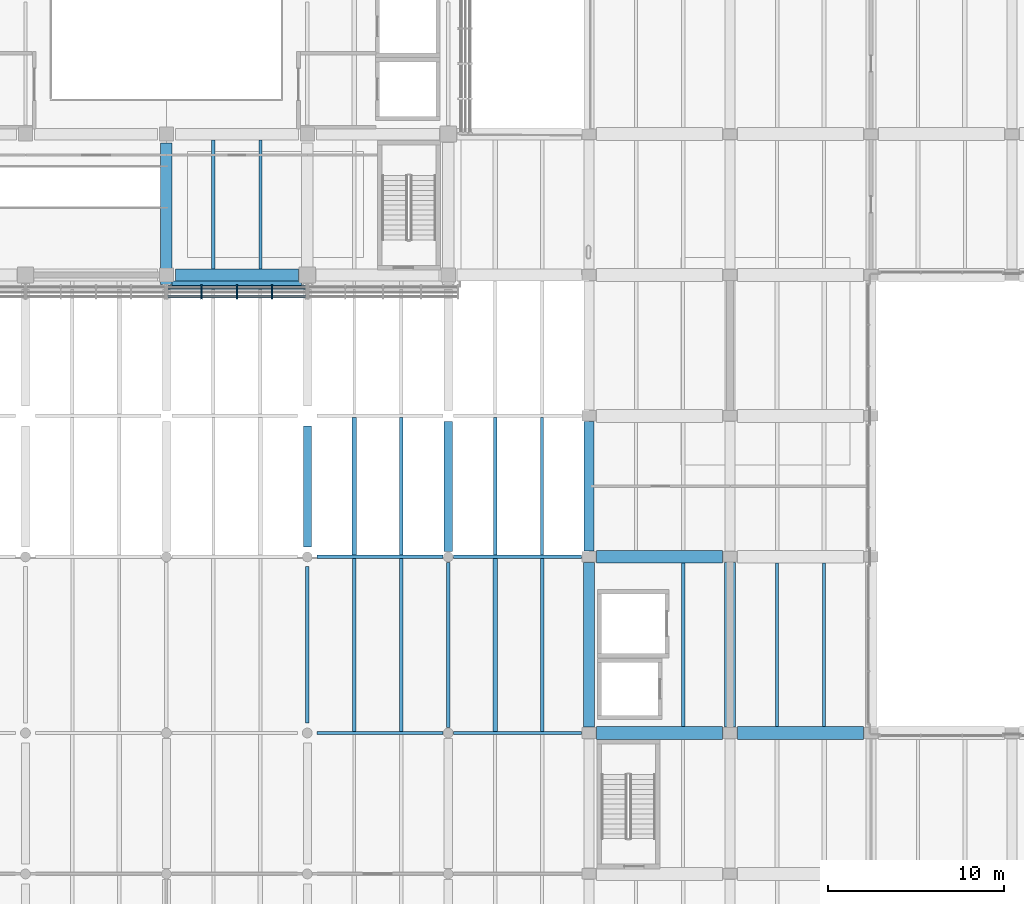
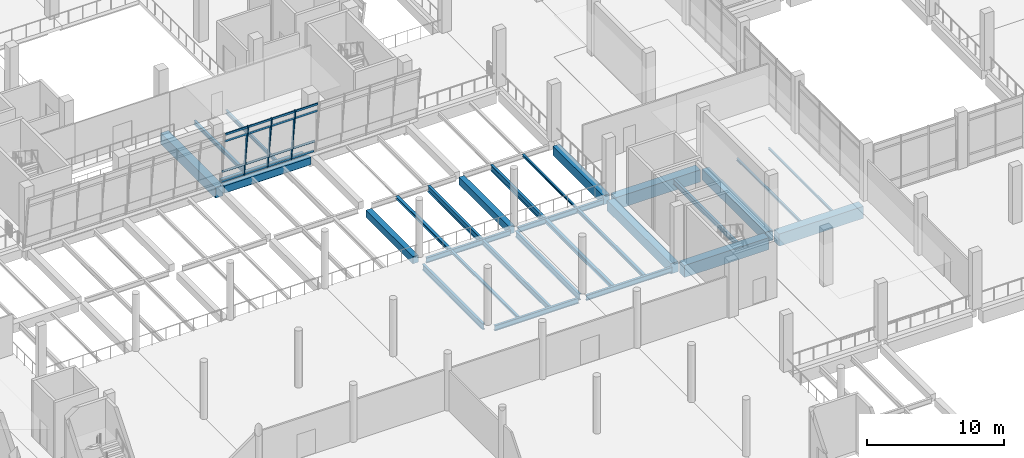
# One storey, part 14 of 61: 30 beams, 19 members, 1 element without a shape of its own.
"""IFC4 building model written with IfcOpenShell, lengths in metres."""

from ifc_helpers import new_model, si_unit, direction, frame, origin, origin_2d, place, context, subcontext, project, spatial, rectangle, i_section, extrude, material, material_profile, profile_set, type_object, element, aggregate, save


model = new_model("IFC4")

# Units and contexts
model_context = context("Model", 3, precision=1e-05, world=origin(), true_north=direction((0.0, 1.0)))
body_context = subcontext(model_context, "Body", "Model", "MODEL_VIEW")
ifc_project = project(units=[si_unit("LENGTHUNIT", "METRE"), si_unit("AREAUNIT", "SQUARE_METRE"), si_unit("VOLUMEUNIT", "CUBIC_METRE"), si_unit("PLANEANGLEUNIT", "RADIAN"), si_unit("MASSUNIT", "GRAM", prefix="KILO")], contexts=[model_context])

# Site, building, storey
site_placement = place(None, origin())
site = spatial("IfcSite", under=ifc_project, at=site_placement, CompositionType="ELEMENT")
building_placement = place(site_placement, origin())
building = spatial("IfcBuilding", under=site, at=building_placement, Name="Pecanmere Concourse Central Library", CompositionType="ELEMENT")
storey_placement = place(building_placement, frame((0.0, 0.0, 5.39990234375)))
storey = spatial("IfcBuildingStorey", under=building, at=storey_placement, Name="L02", CompositionType="ELEMENT", Elevation=5.39990234375)

# Curtain wall, members
ifc_material_1 = material(Name="Anodized bronze aluminium alloy 6063-T6", Category="aluminium")
curtain_wall_type = type_object("IfcCurtainWallType", Name="CW_LEAN_BANDED", PredefinedType="USERDEFINED", material=ifc_material_1)
curtain_wall_placement = place(storey_placement, origin())
curtain_wall = element("IfcCurtainWall", 1, at=curtain_wall_placement, inside=storey, type_object=curtain_wall_type, Name="Unitised Curtain Wall CW-01 L02-014", ObjectType="UNITISED CURTAIN WALL", PredefinedType="USERDEFINED")
ifc_material_2 = material(Name="Anodized bronze aluminium alloy 6063-T6", Category="aluminium")
ifc_material_profile_1 = material_profile(ifc_material_2, rectangle(XDim=0.074951171875, YDim=0.199951171875, at=origin_2d()), Name="AL 75x200")
ifc_profile_set_1 = profile_set([ifc_material_profile_1], Name="Anodized bronze aluminium alloy 6063-T6")
member_type_1 = type_object("IfcMemberType", Name="CWM_200x75", PredefinedType="MULLION", material=ifc_profile_set_1)
member_1_placement = place(storey_placement, frame((90.00244140625, 89.359619140625, 0.0), z_axis=(0.0, -0.132283601957, 0.991211909055), x_axis=(1.0, 0.0, 0.0)))
member_1 = element("IfcMember", 2, at=member_1_placement, type_object=member_type_1, Name="CW-01 Mullion 2", PredefinedType="MULLION", context=body_context, shape_type="SweptSolid", body=[
    extrude(rectangle(XDim=0.074951171875, YDim=0.199951171875, at=origin_2d()), origin(), (0.0, 0.0, 1.0), 4.80224609375),
])
member_2_placement = place(storey_placement, frame((92.0, 89.359619140625, 0.0), z_axis=(0.0, -0.132283601957, 0.991211909055), x_axis=(1.0, 0.0, 0.0)))
member_2 = element("IfcMember", 3, at=member_2_placement, type_object=member_type_1, Name="CW-01 Mullion 3", PredefinedType="MULLION", context=body_context, shape_type="SweptSolid", body=[
    extrude(rectangle(XDim=0.074951171875, YDim=0.199951171875, at=origin_2d()), origin(), (0.0, 0.0, 1.0), 4.80224609375),
])
member_3_placement = place(storey_placement, frame((93.99755859375, 89.359619140625, 0.0), z_axis=(0.0, -0.132283601957, 0.991211909055), x_axis=(1.0, 0.0, 0.0)))
member_3 = element("IfcMember", 4, at=member_3_placement, type_object=member_type_1, Name="CW-01 Mullion 4", PredefinedType="MULLION", context=body_context, shape_type="SweptSolid", body=[
    extrude(rectangle(XDim=0.074951171875, YDim=0.199951171875, at=origin_2d()), origin(), (0.0, 0.0, 1.0), 4.80224609375),
])
ifc_material_3 = material(Name="Anodized bronze aluminium alloy 6063-T6", Category="aluminium")
ifc_material_profile_2 = material_profile(ifc_material_3, rectangle(XDim=0.06494140625, YDim=0.179931640625, at=origin_2d()), Name="AL 65x180")
ifc_profile_set_2 = profile_set([ifc_material_profile_2], Name="Anodized bronze aluminium alloy 6063-T6")
member_type_2 = type_object("IfcMemberType", Name="CWT_180x65", PredefinedType="USERDEFINED", material=ifc_profile_set_2)
member_4_placement = place(storey_placement, frame((88.080078125, 89.347412109375, 0.090087890625), z_axis=(1.0, 0.0, 0.0), x_axis=(0.0, 1.0, 0.0)))
member_4 = element("IfcMember", 5, at=member_4_placement, type_object=member_type_2, Name="CW-01 Transom 1.1", ObjectType="TRANSOM", PredefinedType="USERDEFINED", context=body_context, shape_type="SweptSolid", body=[
    extrude(rectangle(XDim=0.06494140625, YDim=0.179931640625, at=origin_2d()), origin(), (0.0, 0.0, 1.0), 1.885009765625),
])
member_5_placement = place(storey_placement, frame((88.080078125, 89.219482421875, 1.050048828125), z_axis=(1.0, 0.0, 0.0), x_axis=(0.0, 1.0, 0.0)))
member_5 = element("IfcMember", 6, at=member_5_placement, type_object=member_type_2, Name="CW-01 Transom 1.2", ObjectType="TRANSOM", PredefinedType="USERDEFINED", context=body_context, shape_type="SweptSolid", body=[
    extrude(rectangle(XDim=0.06494140625, YDim=0.179931640625, at=origin_2d()), origin(), (0.0, 0.0, 1.0), 1.885009765625),
])
member_6_placement = place(storey_placement, frame((88.080078125, 88.824462890625, 4.010009765625), z_axis=(1.0, 0.0, 0.0), x_axis=(0.0, 1.0, 0.0)))
member_6 = element("IfcMember", 7, at=member_6_placement, type_object=member_type_2, Name="CW-01 Transom 1.3", ObjectType="TRANSOM", PredefinedType="USERDEFINED", context=body_context, shape_type="SweptSolid", body=[
    extrude(rectangle(XDim=0.06494140625, YDim=0.179931640625, at=origin_2d()), origin(), (0.0, 0.0, 1.0), 1.885009765625),
])
member_7_placement = place(storey_placement, frame((88.080078125, 88.736328125, 4.670166015625), z_axis=(1.0, 0.0, 0.0), x_axis=(0.0, 1.0, 0.0)))
member_7 = element("IfcMember", 8, at=member_7_placement, type_object=member_type_2, Name="CW-01 Transom 1.4", ObjectType="TRANSOM", PredefinedType="USERDEFINED", context=body_context, shape_type="SweptSolid", body=[
    extrude(rectangle(XDim=0.06494140625, YDim=0.179931640625, at=origin_2d()), origin(), (0.0, 0.0, 1.0), 1.885009765625),
])
member_8_placement = place(storey_placement, frame((90.0400390625, 89.347412109375, 0.090087890625), z_axis=(1.0, 0.0, 0.0), x_axis=(0.0, 1.0, 0.0)))
member_8 = element("IfcMember", 9, at=member_8_placement, type_object=member_type_2, Name="CW-01 Transom 2.1", ObjectType="TRANSOM", PredefinedType="USERDEFINED", context=body_context, shape_type="SweptSolid", body=[
    extrude(rectangle(XDim=0.06494140625, YDim=0.179931640625, at=origin_2d()), origin(), (0.0, 0.0, 1.0), 1.92236328125),
])
member_9_placement = place(storey_placement, frame((90.0400390625, 89.219482421875, 1.050048828125), z_axis=(1.0, 0.0, 0.0), x_axis=(0.0, 1.0, 0.0)))
member_9 = element("IfcMember", 10, at=member_9_placement, type_object=member_type_2, Name="CW-01 Transom 2.2", ObjectType="TRANSOM", PredefinedType="USERDEFINED", context=body_context, shape_type="SweptSolid", body=[
    extrude(rectangle(XDim=0.06494140625, YDim=0.179931640625, at=origin_2d()), origin(), (0.0, 0.0, 1.0), 1.92236328125),
])
member_10_placement = place(storey_placement, frame((90.0400390625, 88.824462890625, 4.010009765625), z_axis=(1.0, 0.0, 0.0), x_axis=(0.0, 1.0, 0.0)))
member_10 = element("IfcMember", 11, at=member_10_placement, type_object=member_type_2, Name="CW-01 Transom 2.3", ObjectType="TRANSOM", PredefinedType="USERDEFINED", context=body_context, shape_type="SweptSolid", body=[
    extrude(rectangle(XDim=0.06494140625, YDim=0.179931640625, at=origin_2d()), origin(), (0.0, 0.0, 1.0), 1.92236328125),
])
member_11_placement = place(storey_placement, frame((90.0400390625, 88.736328125, 4.670166015625), z_axis=(1.0, 0.0, 0.0), x_axis=(0.0, 1.0, 0.0)))
member_11 = element("IfcMember", 12, at=member_11_placement, type_object=member_type_2, Name="CW-01 Transom 2.4", ObjectType="TRANSOM", PredefinedType="USERDEFINED", context=body_context, shape_type="SweptSolid", body=[
    extrude(rectangle(XDim=0.06494140625, YDim=0.179931640625, at=origin_2d()), origin(), (0.0, 0.0, 1.0), 1.92236328125),
])
member_12_placement = place(storey_placement, frame((92.03759765625, 89.347412109375, 0.090087890625), z_axis=(1.0, 0.0, 0.0), x_axis=(0.0, 1.0, 0.0)))
member_12 = element("IfcMember", 13, at=member_12_placement, type_object=member_type_2, Name="CW-01 Transom 3.1", ObjectType="TRANSOM", PredefinedType="USERDEFINED", context=body_context, shape_type="SweptSolid", body=[
    extrude(rectangle(XDim=0.06494140625, YDim=0.179931640625, at=origin_2d()), origin(), (0.0, 0.0, 1.0), 1.92236328125),
])
member_13_placement = place(storey_placement, frame((92.03759765625, 89.219482421875, 1.050048828125), z_axis=(1.0, 0.0, 0.0), x_axis=(0.0, 1.0, 0.0)))
member_13 = element("IfcMember", 14, at=member_13_placement, type_object=member_type_2, Name="CW-01 Transom 3.2", ObjectType="TRANSOM", PredefinedType="USERDEFINED", context=body_context, shape_type="SweptSolid", body=[
    extrude(rectangle(XDim=0.06494140625, YDim=0.179931640625, at=origin_2d()), origin(), (0.0, 0.0, 1.0), 1.92236328125),
])
member_14_placement = place(storey_placement, frame((92.03759765625, 88.824462890625, 4.010009765625), z_axis=(1.0, 0.0, 0.0), x_axis=(0.0, 1.0, 0.0)))
member_14 = element("IfcMember", 15, at=member_14_placement, type_object=member_type_2, Name="CW-01 Transom 3.3", ObjectType="TRANSOM", PredefinedType="USERDEFINED", context=body_context, shape_type="SweptSolid", body=[
    extrude(rectangle(XDim=0.06494140625, YDim=0.179931640625, at=origin_2d()), origin(), (0.0, 0.0, 1.0), 1.92236328125),
])
member_15_placement = place(storey_placement, frame((92.03759765625, 88.736328125, 4.670166015625), z_axis=(1.0, 0.0, 0.0), x_axis=(0.0, 1.0, 0.0)))
member_15 = element("IfcMember", 16, at=member_15_placement, type_object=member_type_2, Name="CW-01 Transom 3.4", ObjectType="TRANSOM", PredefinedType="USERDEFINED", context=body_context, shape_type="SweptSolid", body=[
    extrude(rectangle(XDim=0.06494140625, YDim=0.179931640625, at=origin_2d()), origin(), (0.0, 0.0, 1.0), 1.92236328125),
])
member_16_placement = place(storey_placement, frame((94.034912109375, 89.347412109375, 0.090087890625), z_axis=(1.0, 0.0, 0.0), x_axis=(0.0, 1.0, 0.0)))
member_16 = element("IfcMember", 17, at=member_16_placement, type_object=member_type_2, Name="CW-01 Transom 4.1", ObjectType="TRANSOM", PredefinedType="USERDEFINED", context=body_context, shape_type="SweptSolid", body=[
    extrude(rectangle(XDim=0.06494140625, YDim=0.179931640625, at=origin_2d()), origin(), (0.0, 0.0, 1.0), 1.885009765625),
])
member_17_placement = place(storey_placement, frame((94.034912109375, 89.219482421875, 1.050048828125), z_axis=(1.0, 0.0, 0.0), x_axis=(0.0, 1.0, 0.0)))
member_17 = element("IfcMember", 18, at=member_17_placement, type_object=member_type_2, Name="CW-01 Transom 4.2", ObjectType="TRANSOM", PredefinedType="USERDEFINED", context=body_context, shape_type="SweptSolid", body=[
    extrude(rectangle(XDim=0.06494140625, YDim=0.179931640625, at=origin_2d()), origin(), (0.0, 0.0, 1.0), 1.885009765625),
])
member_18_placement = place(storey_placement, frame((94.034912109375, 88.824462890625, 4.010009765625), z_axis=(1.0, 0.0, 0.0), x_axis=(0.0, 1.0, 0.0)))
member_18 = element("IfcMember", 19, at=member_18_placement, type_object=member_type_2, Name="CW-01 Transom 4.3", ObjectType="TRANSOM", PredefinedType="USERDEFINED", context=body_context, shape_type="SweptSolid", body=[
    extrude(rectangle(XDim=0.06494140625, YDim=0.179931640625, at=origin_2d()), origin(), (0.0, 0.0, 1.0), 1.885009765625),
])
member_19_placement = place(storey_placement, frame((94.034912109375, 88.736328125, 4.670166015625), z_axis=(1.0, 0.0, 0.0), x_axis=(0.0, 1.0, 0.0)))
member_19 = element("IfcMember", 20, at=member_19_placement, type_object=member_type_2, Name="CW-01 Transom 4.4", ObjectType="TRANSOM", PredefinedType="USERDEFINED", context=body_context, shape_type="SweptSolid", body=[
    extrude(rectangle(XDim=0.06494140625, YDim=0.179931640625, at=origin_2d()), origin(), (0.0, 0.0, 1.0), 1.885009765625),
])
aggregate(curtain_wall, [member_1, member_2, member_3, member_4, member_5, member_6, member_7, member_8, member_9, member_10, member_11, member_12, member_13, member_14, member_15, member_16, member_17, member_18, member_19])

# Beams
ifc_material_4 = material(Name="Concrete C40/50", Category="concrete")
ifc_material_profile_3 = material_profile(ifc_material_4, rectangle(XDim=0.4599609375, YDim=0.64990234375, at=origin_2d()), Name="RC 460x650")
ifc_profile_set_3 = profile_set([ifc_material_profile_3], Name="Concrete C40/50")
beam_type_1 = type_object("IfcBeamType", Name="GRD_460x650", PredefinedType="USERDEFINED", material=ifc_profile_set_3)
beam_1_placement = place(storey_placement, frame((96.0, 74.56005859375, -0.69482421875), z_axis=(0.0, 1.0, 0.0), x_axis=(-1.0, 0.0, 0.0)))
element("IfcBeam", 21, at=beam_1_placement, inside=storey, type_object=beam_type_1, Name="Primary Girder Y L02-1068", ObjectType="GIRDER", PredefinedType="USERDEFINED", context=body_context, shape_type="SweptSolid", body=[
    extrude(rectangle(XDim=0.4599609375, YDim=0.64990234375, at=origin_2d()), origin(), (0.0, 0.0, 1.0), 6.8798828125),
])
beam_2_placement = place(storey_placement, frame((104.0, 74.31005859375, -0.69482421875), z_axis=(0.0, 1.0, 0.0), x_axis=(-1.0, 0.0, 0.0)))
element("IfcBeam", 22, at=beam_2_placement, inside=storey, type_object=beam_type_1, Name="Primary Girder Y L02-1080", ObjectType="GIRDER", PredefinedType="USERDEFINED", context=body_context, shape_type="SweptSolid", body=[
    extrude(rectangle(XDim=0.4599609375, YDim=0.64990234375, at=origin_2d()), origin(), (0.0, 0.0, 1.0), 7.3798828125),
])
ifc_material_5 = material(Name="Concrete C40/50", Category="concrete")
ifc_material_profile_4 = material_profile(ifc_material_5, rectangle(XDim=0.56005859375, YDim=0.830078125, at=origin_2d()), Name="RC 560x830")
ifc_profile_set_4 = profile_set([ifc_material_profile_4], Name="Concrete C40/50")
beam_type_2 = type_object("IfcBeamType", Name="GRD_560x830", PredefinedType="USERDEFINED", material=ifc_profile_set_4)
beam_3_placement = place(storey_placement, frame((112.0, 74.330078125, -0.784912109375), z_axis=(0.0, 1.0, 0.0), x_axis=(-1.0, 0.0, 0.0)))
element("IfcBeam", 23, at=beam_3_placement, inside=storey, type_object=beam_type_2, Name="Primary Girder Y L02-1092", ObjectType="GIRDER", PredefinedType="USERDEFINED", context=body_context, shape_type="SweptSolid", body=[
    extrude(rectangle(XDim=0.56005859375, YDim=0.830078125, at=origin_2d()), origin(), (0.0, 0.0, 1.0), 7.33984375),
])
ifc_material_6 = material(Name="Concrete C40/50", Category="concrete")
ifc_material_profile_5 = material_profile(ifc_material_6, rectangle(XDim=0.6201171875, YDim=0.919921875, at=origin_2d()), Name="RC 620x920")
ifc_profile_set_5 = profile_set([ifc_material_profile_5], Name="Concrete C40/50")
beam_type_3 = type_object("IfcBeamType", Name="GRD_620x920", PredefinedType="USERDEFINED", material=ifc_profile_set_5)
for number, where, z_axis, x_axis, name in (
    (24, (112.0, 64.330078125, -0.829833984375), (0.0, 1.0, 0.0), (-1.0, 0.0, 0.0), "Primary Girder Y L02-1091"),
    (25, (120.0, 64.330078125, -0.829833984375), (0.0, 1.0, 0.0), (-1.0, 0.0, 0.0), "Primary Girder Y L02-1101"),
):
    element("IfcBeam", number, at=place(storey_placement, frame(where, z_axis=z_axis, x_axis=x_axis)), inside=storey, type_object=beam_type_3, Name=name, ObjectType="GIRDER", PredefinedType="USERDEFINED", context=body_context, shape_type="SweptSolid", body=[
        extrude(rectangle(XDim=0.6201171875, YDim=0.919921875, at=origin_2d()), origin(), (0.0, 0.0, 1.0), 9.33984375),
    ])
ifc_material_7 = material(Name="Concrete C40/50", Category="concrete")
ifc_material_profile_6 = material_profile(ifc_material_7, rectangle(XDim=0.659912109375, YDim=0.97998046875, at=origin_2d()), Name="RC 660x980")
ifc_profile_set_6 = profile_set([ifc_material_profile_6], Name="Concrete C40/50")
beam_type_4 = type_object("IfcBeamType", Name="GRD_660x980", PredefinedType="USERDEFINED", material=ifc_profile_set_6)
beam_4_placement = place(storey_placement, frame((88.510009765625, 90.0, -0.85986328125), z_axis=(1.0, 0.0, 0.0), x_axis=(0.0, 1.0, 0.0)))
element("IfcBeam", 26, at=beam_4_placement, inside=storey, type_object=beam_type_4, Name="Primary Girder X L02-0917", ObjectType="GIRDER", PredefinedType="USERDEFINED", context=body_context, shape_type="SweptSolid", body=[
    extrude(rectangle(XDim=0.659912109375, YDim=0.97998046875, at=origin_2d()), origin(), (0.0, 0.0, 1.0), 7.0),
])
beam_5_placement = place(storey_placement, frame((88.0, 89.469482421875, -0.85986328125), z_axis=(0.0, 1.0, 0.0), x_axis=(-1.0, 0.0, 0.0)))
element("IfcBeam", 27, at=beam_5_placement, inside=storey, type_object=beam_type_4, Name="Primary Girder Y L02-1060", ObjectType="GIRDER", PredefinedType="USERDEFINED", context=body_context, shape_type="SweptSolid", body=[
    extrude(rectangle(XDim=0.659912109375, YDim=0.97998046875, at=origin_2d()), origin(), (0.0, 0.0, 1.0), 8.0205078125),
])
ifc_material_8 = material(Name="Concrete C40/50", Category="concrete")
ifc_material_profile_7 = material_profile(ifc_material_8, rectangle(XDim=0.719970703125, YDim=1.080078125, at=origin_2d()), Name="RC 720x1080")
ifc_profile_set_7 = profile_set([ifc_material_profile_7], Name="Concrete C40/50")
beam_type_5 = type_object("IfcBeamType", Name="GRD_720x1080", PredefinedType="USERDEFINED", material=ifc_profile_set_7)
for number, where, z_axis, x_axis, name in (
    (28, (112.429931640625, 64.0, -0.909912109375), (1.0, 0.0, 0.0), (0.0, 1.0, 0.0), "Primary Girder X L02-0880"),
    (29, (120.429931640625, 64.0, -0.909912109375), (1.0, 0.0, 0.0), (0.0, 1.0, 0.0), "Primary Girder X L02-0881"),
    (30, (112.429931640625, 74.0, -0.909912109375), (1.0, 0.0, 0.0), (0.0, 1.0, 0.0), "Primary Girder X L02-0894"),
):
    element("IfcBeam", number, at=place(storey_placement, frame(where, z_axis=z_axis, x_axis=x_axis)), inside=storey, type_object=beam_type_5, Name=name, ObjectType="GIRDER", PredefinedType="USERDEFINED", context=body_context, shape_type="SweptSolid", body=[
        extrude(rectangle(XDim=0.719970703125, YDim=1.080078125, at=origin_2d()), origin(), (0.0, 0.0, 1.0), 7.14013671875),
    ])
ifc_material_9 = material(Name="Structural steel ASTM A992 Grade 50", Category="steel")
ifc_material_profile_8 = material_profile(ifc_material_9, i_section(OverallWidth=0.152099609375, OverallDepth=0.152099609375, WebThickness=0.005859375, FlangeThickness=0.006591796875, at=origin_2d()), Name="W150x22.5")
ifc_profile_set_8 = profile_set([ifc_material_profile_8], Name="Structural steel ASTM A992 Grade 50")
beam_type_6 = type_object("IfcBeamType", Name="SBM_W150x22", PredefinedType="LINTEL", material=ifc_profile_set_8)
beam_6_placement = place(storey_placement, frame((125.333251953125, 64.360107421875, -0.44580078125), z_axis=(0.0, 1.0, 0.0), x_axis=(-1.0, 0.0, 0.0)))
element("IfcBeam", 31, at=beam_6_placement, inside=storey, type_object=beam_type_6, Name="Secondary Floor Joist L02-1386", PredefinedType="LINTEL", context=body_context, shape_type="SweptSolid", body=[
    extrude(i_section(OverallWidth=0.152099609375, OverallDepth=0.152099609375, WebThickness=0.005859375, FlangeThickness=0.006591796875, at=origin_2d()), origin(), (0.0, 0.0, 1.0), 9.27978515625),
])
ifc_material_10 = material(Name="Structural steel ASTM A992 Grade 50", Category="steel")
ifc_material_profile_9 = material_profile(ifc_material_10, i_section(OverallWidth=0.1650390625, OverallDepth=0.200927734375, WebThickness=0.006103515625, FlangeThickness=0.01025390625, at=origin_2d()), Name="W200x35.9")
ifc_profile_set_9 = profile_set([ifc_material_profile_9], Name="Structural steel ASTM A992 Grade 50")
beam_type_7 = type_object("IfcBeamType", Name="SBM_W200x36", PredefinedType="LINTEL", material=ifc_profile_set_9)
beam_7_placement = place(storey_placement, frame((109.333251953125, 74.096923828125, -0.470458984375), z_axis=(0.0, 1.0, 0.0), x_axis=(-1.0, 0.0, 0.0)))
element("IfcBeam", 32, at=beam_7_placement, inside=storey, type_object=beam_type_7, Name="Secondary Floor Joist L02-1358", PredefinedType="LINTEL", context=body_context, shape_type="SweptSolid", body=[
    extrude(i_section(OverallWidth=0.1650390625, OverallDepth=0.200927734375, WebThickness=0.006103515625, FlangeThickness=0.01025390625, at=origin_2d()), origin(), (0.0, 0.0, 1.0), 7.80615234375),
])
beam_8_placement = place(storey_placement, frame((122.666748046875, 64.360107421875, -0.470458984375), z_axis=(0.0, 1.0, 0.0), x_axis=(-1.0, 0.0, 0.0)))
element("IfcBeam", 33, at=beam_8_placement, inside=storey, type_object=beam_type_7, Name="Secondary Floor Joist L02-1385", PredefinedType="LINTEL", context=body_context, shape_type="SweptSolid", body=[
    extrude(i_section(OverallWidth=0.1650390625, OverallDepth=0.200927734375, WebThickness=0.006103515625, FlangeThickness=0.01025390625, at=origin_2d()), origin(), (0.0, 0.0, 1.0), 9.27978515625),
])
ifc_material_11 = material(Name="Structural steel ASTM A992 Grade 50", Category="steel")
ifc_material_profile_10 = material_profile(ifc_material_11, i_section(OverallWidth=0.2041015625, OverallDepth=0.2060546875, WebThickness=0.0078125, FlangeThickness=0.0126953125, at=origin_2d()), Name="W200x52")
ifc_profile_set_10 = profile_set([ifc_material_profile_10], Name="Structural steel ASTM A992 Grade 50")
beam_type_8 = type_object("IfcBeamType", Name="SBM_W200x52", PredefinedType="JOIST", material=ifc_profile_set_10)
beam_9_placement = place(storey_placement, frame((98.666748046875, 64.096923828125, -0.472900390625), z_axis=(0.0, 1.0, 0.0), x_axis=(-1.0, 0.0, 0.0)))
element("IfcBeam", 34, at=beam_9_placement, inside=storey, type_object=beam_type_8, Name="Secondary Floor Joist L02-1335", PredefinedType="JOIST", context=body_context, shape_type="SweptSolid", body=[
    extrude(i_section(OverallWidth=0.2041015625, OverallDepth=0.2060546875, WebThickness=0.0078125, FlangeThickness=0.0126953125, at=origin_2d()), origin(), (0.0, 0.0, 1.0), 9.80615234375),
])
ifc_material_12 = material(Name="Structural steel ASTM A992 Grade 50", Category="steel")
ifc_material_profile_11 = material_profile(ifc_material_12, i_section(OverallWidth=0.25390625, OverallDepth=0.2529296875, WebThickness=0.008544921875, FlangeThickness=0.01416015625, at=origin_2d()), Name="W250x73")
ifc_profile_set_11 = profile_set([ifc_material_profile_11], Name="Structural steel ASTM A992 Grade 50")
beam_type_9 = type_object("IfcBeamType", Name="SBM_W250x73", PredefinedType="BEAM", material=ifc_profile_set_11)
beam_10_placement = place(storey_placement, frame((98.666748046875, 74.096923828125, -0.496337890625), z_axis=(0.0, 1.0, 0.0), x_axis=(-1.0, 0.0, 0.0)))
element("IfcBeam", 35, at=beam_10_placement, inside=storey, type_object=beam_type_9, Name="Secondary Floor Joist L02-1337", PredefinedType="BEAM", context=body_context, shape_type="SweptSolid", body=[
    extrude(i_section(OverallWidth=0.25390625, OverallDepth=0.2529296875, WebThickness=0.008544921875, FlangeThickness=0.01416015625, at=origin_2d()), origin(), (0.0, 0.0, 1.0), 7.80615234375),
])
ifc_material_13 = material(Name="Structural steel ASTM A992 Grade 50", Category="steel")
ifc_material_profile_12 = material_profile(ifc_material_13, i_section(OverallWidth=0.1669921875, OverallDepth=0.31689453125, WebThickness=0.007568359375, FlangeThickness=0.01318359375, at=origin_2d()), Name="W310x52")
ifc_profile_set_12 = profile_set([ifc_material_profile_12], Name="Structural steel ASTM A992 Grade 50")
beam_type_10 = type_object("IfcBeamType", Name="SBM_W310x52", PredefinedType="JOIST", material=ifc_profile_set_12)
beam_11_placement = place(storey_placement, frame((93.333251953125, 90.330078125, -0.5283203125), z_axis=(0.0, 1.0, 0.0), x_axis=(-1.0, 0.0, 0.0)))
element("IfcBeam", 36, at=beam_11_placement, inside=storey, type_object=beam_type_10, Name="Secondary Floor Joist L02-1322", PredefinedType="JOIST", context=body_context, shape_type="SweptSolid", body=[
    extrude(i_section(OverallWidth=0.1669921875, OverallDepth=0.31689453125, WebThickness=0.007568359375, FlangeThickness=0.01318359375, at=origin_2d()), origin(), (0.0, 0.0, 1.0), 7.33984375),
])
ifc_material_14 = material(Name="Structural steel ASTM A992 Grade 50", Category="steel")
ifc_material_profile_13 = material_profile(ifc_material_14, i_section(OverallWidth=0.205078125, OverallDepth=0.31005859375, WebThickness=0.009521484375, FlangeThickness=0.016357421875, at=origin_2d()), Name="W310x74")
ifc_profile_set_13 = profile_set([ifc_material_profile_13], Name="Structural steel ASTM A992 Grade 50")
beam_type_11 = type_object("IfcBeamType", Name="SBM_W310x74", PredefinedType="BEAM", material=ifc_profile_set_13)
beam_12_placement = place(storey_placement, frame((109.333251953125, 64.096923828125, -0.52490234375), z_axis=(0.0, 1.0, 0.0), x_axis=(-1.0, 0.0, 0.0)))
element("IfcBeam", 37, at=beam_12_placement, inside=storey, type_object=beam_type_11, Name="Secondary Floor Joist L02-1356", PredefinedType="BEAM", context=body_context, shape_type="SweptSolid", body=[
    extrude(i_section(OverallWidth=0.205078125, OverallDepth=0.31005859375, WebThickness=0.009521484375, FlangeThickness=0.016357421875, at=origin_2d()), origin(), (0.0, 0.0, 1.0), 9.80615234375),
])
ifc_material_15 = material(Name="Structural steel ASTM A992 Grade 50", Category="steel")
ifc_material_profile_14 = material_profile(ifc_material_15, i_section(OverallWidth=0.202880859375, OverallDepth=0.346923828125, WebThickness=0.0078125, FlangeThickness=0.013427734375, at=origin_2d()), Name="W360x64")
ifc_profile_set_14 = profile_set([ifc_material_profile_14], Name="Structural steel ASTM A992 Grade 50")
beam_type_12 = type_object("IfcBeamType", Name="SBM_W360x64", PredefinedType="JOIST", material=ifc_profile_set_14)
beam_13_placement = place(storey_placement, frame((90.666748046875, 90.330078125, -0.54345703125), z_axis=(0.0, 1.0, 0.0), x_axis=(-1.0, 0.0, 0.0)))
element("IfcBeam", 38, at=beam_13_placement, inside=storey, type_object=beam_type_12, Name="Secondary Floor Joist L02-1321", PredefinedType="JOIST", context=body_context, shape_type="SweptSolid", body=[
    extrude(i_section(OverallWidth=0.202880859375, OverallDepth=0.346923828125, WebThickness=0.0078125, FlangeThickness=0.013427734375, at=origin_2d()), origin(), (0.0, 0.0, 1.0), 7.33984375),
])
ifc_material_16 = material(Name="Structural steel ASTM A992 Grade 50", Category="steel")
ifc_material_profile_15 = material_profile(ifc_material_16, i_section(OverallWidth=0.25390625, OverallDepth=0.35302734375, WebThickness=0.009521484375, FlangeThickness=0.016357421875, at=origin_2d()), Name="W360x91")
ifc_profile_set_15 = profile_set([ifc_material_profile_15], Name="Structural steel ASTM A992 Grade 50")
beam_type_13 = type_object("IfcBeamType", Name="SBM_W360x91", PredefinedType="BEAM", material=ifc_profile_set_15)
beam_14_placement = place(storey_placement, frame((106.666748046875, 64.096923828125, -0.54638671875), z_axis=(0.0, 1.0, 0.0), x_axis=(-1.0, 0.0, 0.0)))
element("IfcBeam", 39, at=beam_14_placement, inside=storey, type_object=beam_type_13, Name="Secondary Floor Joist L02-1355", PredefinedType="BEAM", context=body_context, shape_type="SweptSolid", body=[
    extrude(i_section(OverallWidth=0.25390625, OverallDepth=0.35302734375, WebThickness=0.009521484375, FlangeThickness=0.016357421875, at=origin_2d()), origin(), (0.0, 0.0, 1.0), 9.80615234375),
])
ifc_material_17 = material(Name="Structural steel ASTM A992 Grade 50", Category="steel")
ifc_material_profile_16 = material_profile(ifc_material_17, i_section(OverallWidth=0.194091796875, OverallDepth=0.468994140625, WebThickness=0.0126953125, FlangeThickness=0.0205078125, at=origin_2d()), Name="W460x106")
ifc_profile_set_16 = profile_set([ifc_material_profile_16], Name="Structural steel ASTM A992 Grade 50")
beam_type_14 = type_object("IfcBeamType", Name="SBM_W460x106", PredefinedType="USERDEFINED", material=ifc_profile_set_16)
beam_15_placement = place(storey_placement, frame((96.56005859375, 64.0, -0.6044921875), z_axis=(1.0, 0.0, 0.0), x_axis=(0.0, 1.0, 0.0)))
element("IfcBeam", 40, at=beam_15_placement, inside=storey, type_object=beam_type_14, Name="Primary Girder X L02-0878", ObjectType="GIRDER", PredefinedType="USERDEFINED", context=body_context, shape_type="SweptSolid", body=[
    extrude(i_section(OverallWidth=0.194091796875, OverallDepth=0.468994140625, WebThickness=0.0126953125, FlangeThickness=0.0205078125, at=origin_2d()), origin(), (0.0, 0.0, 1.0), 7.1298828125),
])
beam_16_placement = place(storey_placement, frame((104.31005859375, 64.0, -0.6044921875), z_axis=(1.0, 0.0, 0.0), x_axis=(0.0, 1.0, 0.0)))
element("IfcBeam", 41, at=beam_16_placement, inside=storey, type_object=beam_type_14, Name="Primary Girder X L02-0879", ObjectType="GIRDER", PredefinedType="USERDEFINED", context=body_context, shape_type="SweptSolid", body=[
    extrude(i_section(OverallWidth=0.194091796875, OverallDepth=0.468994140625, WebThickness=0.0126953125, FlangeThickness=0.0205078125, at=origin_2d()), origin(), (0.0, 0.0, 1.0), 7.260009765625),
])
beam_17_placement = place(storey_placement, frame((96.56005859375, 74.0, -0.6044921875), z_axis=(1.0, 0.0, 0.0), x_axis=(0.0, 1.0, 0.0)))
element("IfcBeam", 42, at=beam_17_placement, inside=storey, type_object=beam_type_14, Name="Primary Girder X L02-0892", ObjectType="GIRDER", PredefinedType="USERDEFINED", context=body_context, shape_type="SweptSolid", body=[
    extrude(i_section(OverallWidth=0.194091796875, OverallDepth=0.468994140625, WebThickness=0.0126953125, FlangeThickness=0.0205078125, at=origin_2d()), origin(), (0.0, 0.0, 1.0), 7.1298828125),
])
beam_18_placement = place(storey_placement, frame((104.31005859375, 74.0, -0.6044921875), z_axis=(1.0, 0.0, 0.0), x_axis=(0.0, 1.0, 0.0)))
element("IfcBeam", 43, at=beam_18_placement, inside=storey, type_object=beam_type_14, Name="Primary Girder X L02-0893", ObjectType="GIRDER", PredefinedType="USERDEFINED", context=body_context, shape_type="SweptSolid", body=[
    extrude(i_section(OverallWidth=0.194091796875, OverallDepth=0.468994140625, WebThickness=0.0126953125, FlangeThickness=0.0205078125, at=origin_2d()), origin(), (0.0, 0.0, 1.0), 7.260009765625),
])
beam_19_placement = place(storey_placement, frame((117.333251953125, 64.360107421875, -0.6044921875), z_axis=(0.0, 1.0, 0.0), x_axis=(-1.0, 0.0, 0.0)))
element("IfcBeam", 44, at=beam_19_placement, inside=storey, type_object=beam_type_14, Name="Secondary Floor Joist L02-1372", ObjectType="GIRDER", PredefinedType="USERDEFINED", context=body_context, shape_type="SweptSolid", body=[
    extrude(i_section(OverallWidth=0.194091796875, OverallDepth=0.468994140625, WebThickness=0.0126953125, FlangeThickness=0.0205078125, at=origin_2d()), origin(), (0.0, 0.0, 1.0), 9.27978515625),
])
ifc_material_18 = material(Name="Structural steel ASTM A992 Grade 50", Category="steel")
ifc_material_profile_17 = material_profile(ifc_material_18, i_section(OverallWidth=0.18994140625, OverallDepth=0.45703125, WebThickness=0.009033203125, FlangeThickness=0.014404296875, at=origin_2d()), Name="W460x74")
ifc_profile_set_17 = profile_set([ifc_material_profile_17], Name="Structural steel ASTM A992 Grade 50")
beam_type_15 = type_object("IfcBeamType", Name="SBM_W460x74", PredefinedType="BEAM", material=ifc_profile_set_17)
beam_20_placement = place(storey_placement, frame((101.333251953125, 64.096923828125, -0.598388671875), z_axis=(0.0, 1.0, 0.0), x_axis=(-1.0, 0.0, 0.0)))
element("IfcBeam", 45, at=beam_20_placement, inside=storey, type_object=beam_type_15, Name="Secondary Floor Joist L02-1336", PredefinedType="BEAM", context=body_context, shape_type="SweptSolid", body=[
    extrude(i_section(OverallWidth=0.18994140625, OverallDepth=0.45703125, WebThickness=0.009033203125, FlangeThickness=0.014404296875, at=origin_2d()), origin(), (0.0, 0.0, 1.0), 9.80615234375),
])
ifc_material_19 = material(Name="Structural steel ASTM A992 Grade 50", Category="steel")
ifc_material_profile_18 = material_profile(ifc_material_19, i_section(OverallWidth=0.2109375, OverallDepth=0.5390625, WebThickness=0.01171875, FlangeThickness=0.018798828125, at=origin_2d()), Name="W530x109")
ifc_profile_set_18 = profile_set([ifc_material_profile_18], Name="Structural steel ASTM A992 Grade 50")
beam_type_16 = type_object("IfcBeamType", Name="SBM_W530x109", PredefinedType="USERDEFINED", material=ifc_profile_set_18)
beam_21_placement = place(storey_placement, frame((96.0, 64.56005859375, -0.639404296875), z_axis=(0.0, 1.0, 0.0), x_axis=(-1.0, 0.0, 0.0)))
element("IfcBeam", 46, at=beam_21_placement, inside=storey, type_object=beam_type_16, Name="Primary Girder Y L02-1067", ObjectType="GIRDER", PredefinedType="USERDEFINED", context=body_context, shape_type="SweptSolid", body=[
    extrude(i_section(OverallWidth=0.2109375, OverallDepth=0.5390625, WebThickness=0.01171875, FlangeThickness=0.018798828125, at=origin_2d()), origin(), (0.0, 0.0, 1.0), 8.8798828125),
])
beam_22_placement = place(storey_placement, frame((104.0, 64.31005859375, -0.639404296875), z_axis=(0.0, 1.0, 0.0), x_axis=(-1.0, 0.0, 0.0)))
element("IfcBeam", 47, at=beam_22_placement, inside=storey, type_object=beam_type_16, Name="Primary Girder Y L02-1079", ObjectType="GIRDER", PredefinedType="USERDEFINED", context=body_context, shape_type="SweptSolid", body=[
    extrude(i_section(OverallWidth=0.2109375, OverallDepth=0.5390625, WebThickness=0.01171875, FlangeThickness=0.018798828125, at=origin_2d()), origin(), (0.0, 0.0, 1.0), 9.3798828125),
])
beam_23_placement = place(storey_placement, frame((106.666748046875, 74.096923828125, -0.639404296875), z_axis=(0.0, 1.0, 0.0), x_axis=(-1.0, 0.0, 0.0)))
element("IfcBeam", 48, at=beam_23_placement, inside=storey, type_object=beam_type_16, Name="Secondary Floor Joist L02-1357", ObjectType="GIRDER", PredefinedType="USERDEFINED", context=body_context, shape_type="SweptSolid", body=[
    extrude(i_section(OverallWidth=0.2109375, OverallDepth=0.5390625, WebThickness=0.01171875, FlangeThickness=0.018798828125, at=origin_2d()), origin(), (0.0, 0.0, 1.0), 7.80615234375),
])
ifc_material_20 = material(Name="Structural steel ASTM A992 Grade 50", Category="steel")
ifc_material_profile_19 = material_profile(ifc_material_20, i_section(OverallWidth=0.208984375, OverallDepth=0.532958984375, WebThickness=0.01025390625, FlangeThickness=0.015625, at=origin_2d()), Name="W530x92")
ifc_profile_set_19 = profile_set([ifc_material_profile_19], Name="Structural steel ASTM A992 Grade 50")
beam_type_17 = type_object("IfcBeamType", Name="SBM_W530x92", PredefinedType="BEAM", material=ifc_profile_set_19)
beam_24_placement = place(storey_placement, frame((101.333251953125, 74.096923828125, -0.636474609375), z_axis=(0.0, 1.0, 0.0), x_axis=(-1.0, 0.0, 0.0)))
element("IfcBeam", 49, at=beam_24_placement, inside=storey, type_object=beam_type_17, Name="Secondary Floor Joist L02-1338", PredefinedType="BEAM", context=body_context, shape_type="SweptSolid", body=[
    extrude(i_section(OverallWidth=0.208984375, OverallDepth=0.532958984375, WebThickness=0.01025390625, FlangeThickness=0.015625, at=origin_2d()), origin(), (0.0, 0.0, 1.0), 7.80615234375),
])
ifc_material_21 = material(Name="Concrete C40/50", Category="concrete")
ifc_material_profile_20 = material_profile(ifc_material_21, rectangle(XDim=0.3798828125, YDim=0.639892578125, at=origin_2d()), Name="RC 380x640")
ifc_profile_set_20 = profile_set([ifc_material_profile_20], Name="Concrete C40/50")
beam_type_18 = type_object("IfcBeamType", Name="SPB_380x640", PredefinedType="BEAM", material=ifc_profile_set_20)
beam_25_placement = place(storey_placement, frame((88.330078125, 89.469482421875, -0.68994140625), z_axis=(1.0, 0.0, 0.0), x_axis=(0.0, 1.0, 0.0)))
element("IfcBeam", 50, at=beam_25_placement, inside=storey, type_object=beam_type_18, Name="Leaning Facade Edge Beam L02-1160", PredefinedType="BEAM", context=body_context, shape_type="SweptSolid", body=[
    extrude(rectangle(XDim=0.3798828125, YDim=0.639892578125, at=origin_2d()), origin(), (0.0, 0.0, 1.0), 7.33984375),
])

save(model, "model.ifc")
